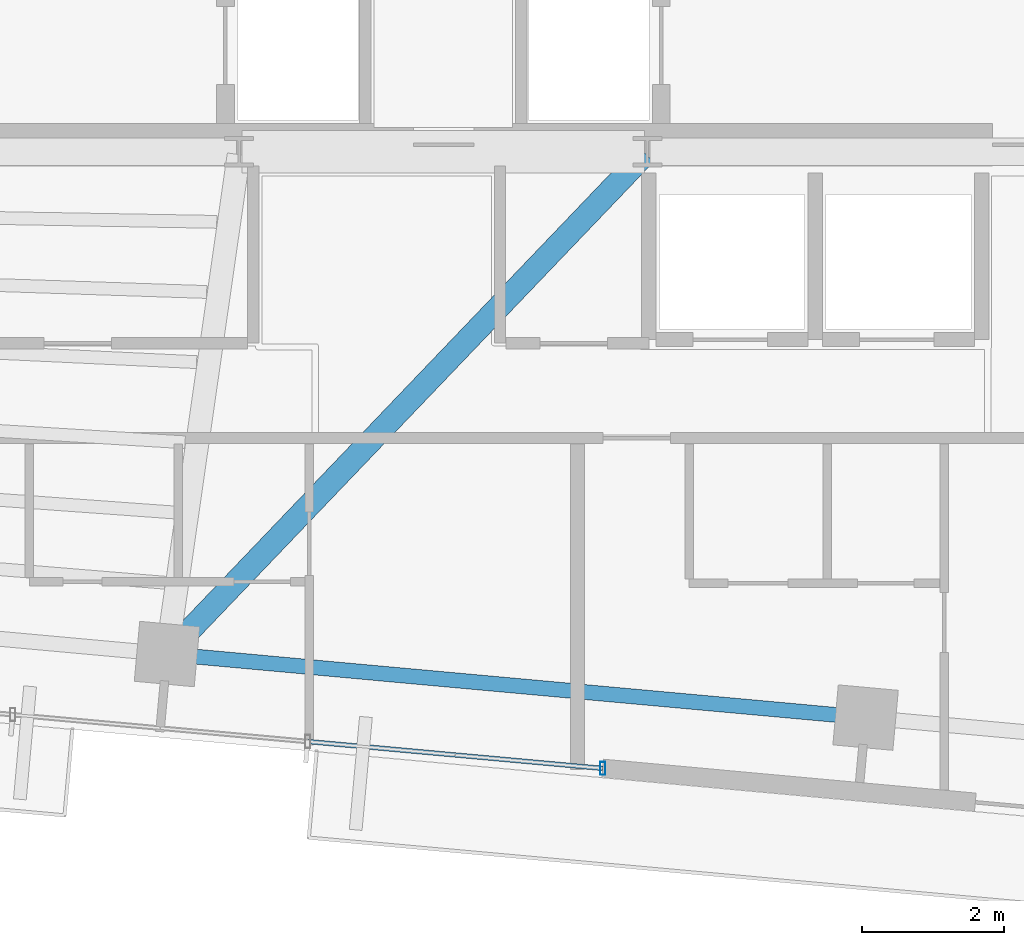
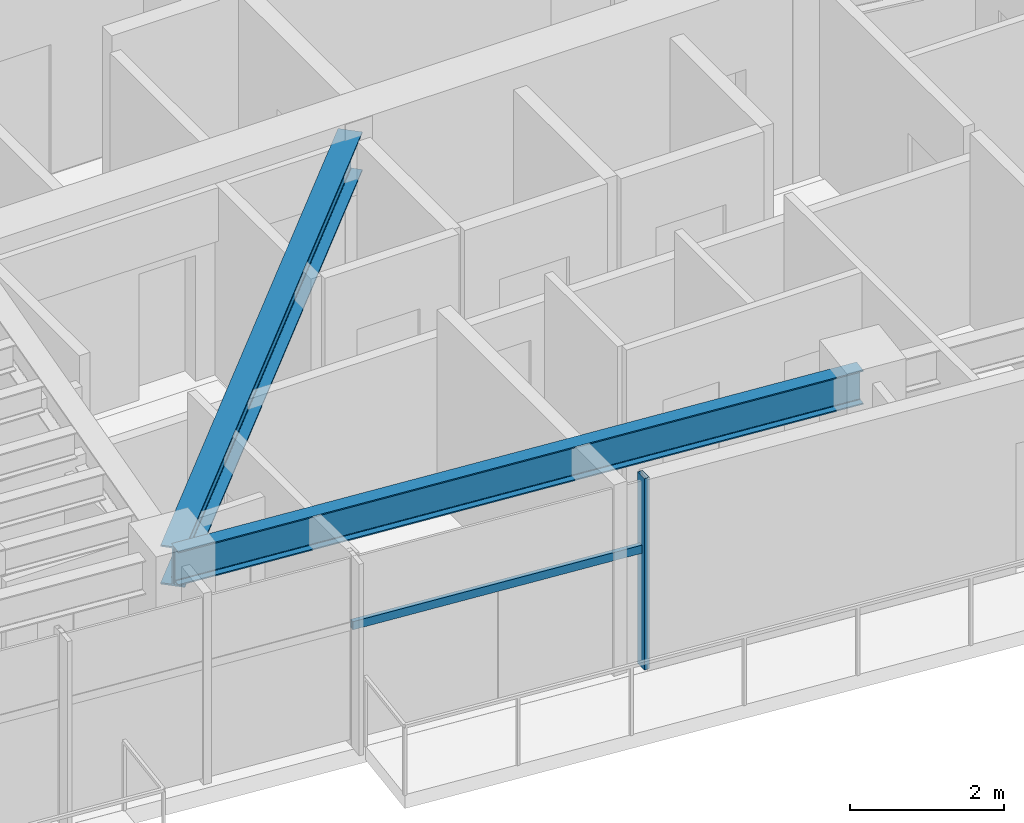
# One storey, part 7 of 22: 2 beams, 2 members, 1 element without a shape of its own.
"""IFC4 building model written with IfcOpenShell, lengths in metres."""

from ifc_helpers import new_model, si_unit, direction, frame, origin, origin_2d, place, context, subcontext, project, spatial, hollow_rectangle, i_section, extrude, source, transform, mapped, material, material_profile, profile_set, type_object, type_shapes, element, aggregate, save


model = new_model("IFC4")

# Units and contexts
model_context = context("Model", 3, precision=1e-05, world=origin(), true_north=direction((0.0, 1.0)))
body_context = subcontext(model_context, "Body", "Model", "MODEL_VIEW")
ifc_project = project(units=[si_unit("LENGTHUNIT", "METRE"), si_unit("AREAUNIT", "SQUARE_METRE"), si_unit("VOLUMEUNIT", "CUBIC_METRE"), si_unit("PLANEANGLEUNIT", "RADIAN"), si_unit("MASSUNIT", "GRAM", prefix="KILO")], contexts=[model_context])

# Site, building, storey
site_placement = place(None, origin())
site = spatial("IfcSite", under=ifc_project, at=site_placement, CompositionType="ELEMENT")
building_placement = place(site_placement, origin())
building = spatial("IfcBuilding", under=site, at=building_placement, Name="Astriad Promenade Condominiums", CompositionType="ELEMENT")
storey_placement = place(building_placement, frame((0.0, 0.0, 226.5)))
storey = spatial("IfcBuildingStorey", under=building, at=storey_placement, Name="L65", CompositionType="ELEMENT", Elevation=226.5)

# Beams
ifc_material_1 = material(Name="Steel ASTM A992 Grade 50", Category="steel")
ifc_material_profile_1 = material_profile(ifc_material_1, i_section(OverallWidth=0.210693359375, OverallDepth=0.53955078125, WebThickness=0.01171875, FlangeThickness=0.018798828125, FilletRadius=0.0166015625, at=origin_2d()), Name="W21X73")
ifc_profile_set_1 = profile_set([ifc_material_profile_1], Name="Steel ASTM A992 Grade 50")
beam_type_1 = type_object("IfcBeamType", Name="STEEL SPANDREL BEAM W21X73", PredefinedType="SPANDREL", material=ifc_profile_set_1)
shared_shape_1 = source(origin(), body_context, "Body", "SweptSolid", [
    extrude(i_section(OverallWidth=0.210693359375, OverallDepth=0.53955078125, WebThickness=0.01171875, FlangeThickness=0.018798828125, FilletRadius=0.0166015625, at=origin_2d()), origin(), (0.0, 0.0, 1.0), 9.820068359375),
])
type_shapes(beam_type_1, [shared_shape_1])
beam_1_placement = place(storey_placement, frame((32.14013671875, 10.30810546875, 2.770263671875), z_axis=(0.995885663174, -0.090618683965, 0.0), x_axis=(0.090618683965, 0.995885663174, 0.0)))
element("IfcBeam", 1, at=beam_1_placement, inside=storey, type_object=beam_type_1, Name="Perimeter Spandrel Beam SP-S3-L65", PredefinedType="SPANDREL", context=body_context, shape_type="MappedRepresentation", body=[
    mapped(shared_shape_1, transform((0.0, 0.0, 0.0), scale=1.0)),
])
ifc_material_profile_2 = material_profile(ifc_material_1, i_section(OverallWidth=0.326416015625, OverallDepth=0.621826171875, WebThickness=0.015380859375, FlangeThickness=0.0244140625, FilletRadius=0.017822265625, at=origin_2d()), Name="W24X131")
ifc_profile_set_2 = profile_set([ifc_material_profile_2], Name="Steel ASTM A992 Grade 50")
beam_type_2 = type_object("IfcBeamType", Name="STEEL FLOOR GIRDER W24X131", PredefinedType="BEAM", material=ifc_profile_set_2)
shared_shape_2 = source(origin(), body_context, "Body", "SweptSolid", [
    extrude(i_section(OverallWidth=0.326416015625, OverallDepth=0.621826171875, WebThickness=0.015380859375, FlangeThickness=0.0244140625, FilletRadius=0.017822265625, at=origin_2d()), origin(), (0.0, 0.0, 1.0), 9.728515625),
])
type_shapes(beam_type_2, [shared_shape_2])
beam_2_placement = place(storey_placement, frame((32.1279296875, 10.3408203125, 2.72900390625), z_axis=(0.691209540622, 0.722654392468, 0.0), x_axis=(-0.722654392468, 0.691209540622, 0.0)))
element("IfcBeam", 2, at=beam_2_placement, inside=storey, type_object=beam_type_2, Name="Primary Floor Girder PG-C2-L65", PredefinedType="BEAM", context=body_context, shape_type="MappedRepresentation", body=[
    mapped(shared_shape_2, transform((0.0, 0.0, 0.0), scale=1.0)),
])

# Curtain wall, members
ifc_material_2 = material(Name="Anodised aluminium Black Dark Glass Unitised", Category="aluminium")
curtain_wall_type = type_object("IfcCurtainWallType", Name="CW-B5-DARK", PredefinedType="USERDEFINED", material=ifc_material_2)
curtain_wall_placement = place(storey_placement, origin())
curtain_wall = element("IfcCurtainWall", 3, at=curtain_wall_placement, inside=storey, type_object=curtain_wall_type, Name="CW-L65-S", ObjectType="UNITISED_CURTAIN_WALL", PredefinedType="USERDEFINED")
ifc_material_3 = material(Name="Anodised aluminium 6063-T6 Black", Category="aluminium")
ifc_material_profile_3 = material_profile(ifc_material_3, hollow_rectangle(XDim=0.06494140625, YDim=0.1298828125, WallThickness=0.00390625, at=origin_2d()), Name="ALU-TRN-65X130")
ifc_profile_set_3 = profile_set([ifc_material_profile_3], Name="Anodised aluminium 6063-T6 Black")
member_type_1 = type_object("IfcMemberType", Name="TRN-ALU-TRN-65X130", PredefinedType="USERDEFINED", material=ifc_profile_set_3)
shared_shape_3 = source(origin(), body_context, "Body", "SweptSolid", [
    extrude(hollow_rectangle(XDim=0.06494140625, YDim=0.1298828125, WallThickness=0.00390625, at=origin_2d()), origin(), (0.0, 0.0, 1.0), 4.179931640625),
])
type_shapes(member_type_1, [shared_shape_3])
member_1_placement = place(storey_placement, frame((38.24951171875, 8.69775390625, 1.884765625), z_axis=(-0.995883146811, 0.090646334165, 0.0), x_axis=(-0.090646334165, -0.995883146811, 0.0)))
member_1 = element("IfcMember", 4, at=member_1_placement, type_object=member_type_1, Name="CW-L65-S-TRN-00-0", ObjectType="TRANSOM", PredefinedType="USERDEFINED", context=body_context, shape_type="MappedRepresentation", body=[
    mapped(shared_shape_3, transform((0.0, 0.0, 0.0), scale=1.0)),
])
ifc_material_profile_4 = material_profile(ifc_material_3, hollow_rectangle(XDim=0.074951171875, YDim=0.18505859375, WallThickness=0.00439453125, at=origin_2d()), Name="ALU-MUL-75X185")
ifc_profile_set_4 = profile_set([ifc_material_profile_4], Name="Anodised aluminium 6063-T6 Black")
member_type_2 = type_object("IfcMemberType", Name="MUL-ALU-MUL-75X185", PredefinedType="MULLION", material=ifc_profile_set_4)
shared_shape_4 = source(origin(), body_context, "Body", "SweptSolid", [
    extrude(hollow_rectangle(XDim=0.074951171875, YDim=0.18505859375, WallThickness=0.00439453125, at=origin_2d()), origin(), (0.0, 0.0, 1.0), 3.0400390625),
])
type_shapes(member_type_2, [shared_shape_4])
member_2_placement = place(storey_placement, frame((38.24951171875, 8.69775390625, 0.0), z_axis=(0.0, 0.0, 1.0), x_axis=(1.0, 0.0, 0.0)))
member_2 = element("IfcMember", 5, at=member_2_placement, type_object=member_type_2, Name="CW-L65-S-MUL-00", PredefinedType="MULLION", context=body_context, shape_type="MappedRepresentation", body=[
    mapped(shared_shape_4, transform((0.0, 0.0, 0.0), scale=1.0)),
])
aggregate(curtain_wall, [member_2, member_1])

save(model, "model.ifc")
